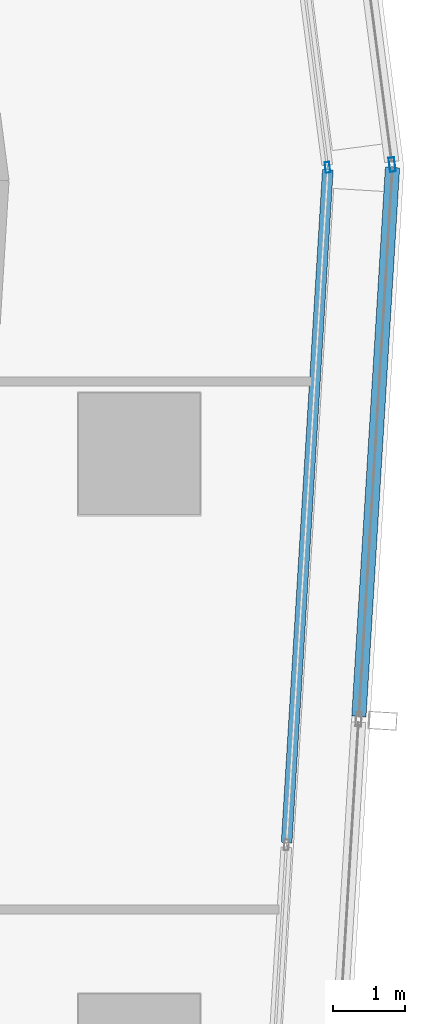
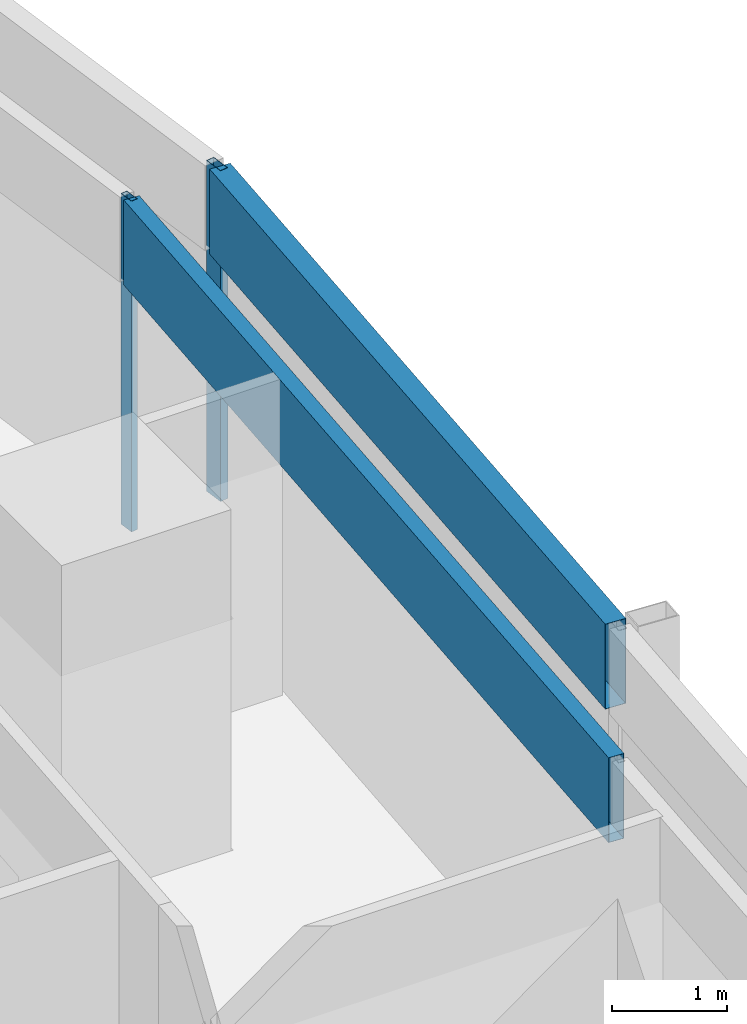
# One storey, part 25 of 40: 4 members, 4 elements without a shape of their own.
"""IFC4 building model written with IfcOpenShell, lengths in metres."""

from ifc_helpers import new_model, si_unit, direction, frame, origin, origin_2d, place, context, subcontext, project, spatial, hollow_rectangle, extrude, material, material_profile, profile_set, type_object, element, aggregate, save


model = new_model("IFC4")

# Units and contexts
model_context = context("Model", 3, precision=1e-05, world=origin(), true_north=direction((0.0, 1.0)))
body_context = subcontext(model_context, "Body", "Model", "MODEL_VIEW")
ifc_project = project(units=[si_unit("LENGTHUNIT", "METRE"), si_unit("AREAUNIT", "SQUARE_METRE"), si_unit("VOLUMEUNIT", "CUBIC_METRE"), si_unit("PLANEANGLEUNIT", "RADIAN"), si_unit("MASSUNIT", "GRAM", prefix="KILO")], contexts=[model_context])

# Site, building, storey
site_placement = place(None, origin())
site = spatial("IfcSite", under=ifc_project, at=site_placement, CompositionType="ELEMENT")
building_placement = place(site_placement, origin())
building = spatial("IfcBuilding", under=site, at=building_placement, Name="Rekha Terrace Tower", CompositionType="ELEMENT")
storey_placement = place(building_placement, frame((0.0, 0.0, 110.300048828125)))
storey = spatial("IfcBuildingStorey", under=building, at=storey_placement, Name="L27", CompositionType="ELEMENT", Elevation=110.300048828125)

# Curtain wall, member
ifc_material_1 = material(Name="Aluminium framing", Category="aluminium")
curtain_wall_type_1 = type_object("IfcCurtainWallType", Name="CW1 double skin inner glazing", PredefinedType="USERDEFINED", material=ifc_material_1)
curtain_wall_1_placement = place(storey_placement, origin())
curtain_wall_1 = element("IfcCurtainWall", 1, at=curtain_wall_1_placement, inside=storey, type_object=curtain_wall_type_1, Name="CW1 double skin inner glazing", ObjectType="DOUBLE SKIN INNER GLAZING", PredefinedType="USERDEFINED")
ifc_material_2 = material(Name="Aluminium mullion section", Category="aluminium")
ifc_material_profile_1 = material_profile(ifc_material_2, hollow_rectangle(XDim=0.06494140625, YDim=0.14990234375, WallThickness=0.00390625, at=origin_2d()), Name="AL RHS 65x150")
ifc_profile_set_1 = profile_set([ifc_material_profile_1], Name="Aluminium mullion section")
member_type_1 = type_object("IfcMemberType", Name="CW1 mullion RHS 65 x 150", PredefinedType="MULLION", material=ifc_profile_set_1)
member_1_placement = place(storey_placement, frame((69.83154296875, 46.00390625, 0.0), z_axis=(0.0, 0.0, 1.0), x_axis=(-0.991629186237, -0.129118383675, 0.0)))
member_1 = element("IfcMember", 2, at=member_1_placement, type_object=member_type_1, Name="CW1 mullion 1", PredefinedType="MULLION", context=body_context, shape_type="SweptSolid", body=[
    extrude(hollow_rectangle(XDim=0.06494140625, YDim=0.14990234375, WallThickness=0.00390625, at=origin_2d()), origin(), (0.0, 0.0, 1.0), 3.5),
])
aggregate(curtain_wall_1, [member_1])

curtain_wall_2_placement = place(storey_placement, origin())
curtain_wall_2 = element("IfcCurtainWall", 3, at=curtain_wall_2_placement, inside=storey, type_object=curtain_wall_type_1, Name="CW1 double skin inner glazing", ObjectType="DOUBLE SKIN INNER GLAZING", PredefinedType="USERDEFINED")
ifc_material_3 = material(Name="Insulated aluminium spandrel box", Category="aluminium")
ifc_material_profile_2 = material_profile(ifc_material_3, hollow_rectangle(XDim=0.14990234375, YDim=0.89990234375, WallThickness=0.0029296875, at=origin_2d()), Name="AL SPANDREL BOX 150x900")
ifc_profile_set_2 = profile_set([ifc_material_profile_2], Name="Insulated aluminium spandrel box")
member_type_2 = type_object("IfcMemberType", Name="CW1 spandrel transom 150 x 900", PredefinedType="USERDEFINED", material=ifc_profile_set_2)
member_2_placement = place(storey_placement, frame((69.259765625, 36.569091796875, 3.050048828125), z_axis=(0.061137463969, 0.998129355594, 0.0), x_axis=(-0.998129355594, 0.061137463969, 0.0)))
member_2 = element("IfcMember", 4, at=member_2_placement, type_object=member_type_2, Name="CW1 spandrel transom 3", ObjectType="TRANSOM", PredefinedType="USERDEFINED", context=body_context, shape_type="SweptSolid", body=[
    extrude(hollow_rectangle(XDim=0.14990234375, YDim=0.89990234375, WallThickness=0.0029296875, at=origin_2d()), origin(), (0.0, 0.0, 1.0), 9.420166015625),
])
aggregate(curtain_wall_2, [member_2])

curtain_wall_type_2 = type_object("IfcCurtainWallType", Name="CW2 double skin outer glazing", PredefinedType="USERDEFINED", material=ifc_material_1)
curtain_wall_3_placement = place(storey_placement, origin())
curtain_wall_3 = element("IfcCurtainWall", 5, at=curtain_wall_3_placement, inside=storey, type_object=curtain_wall_type_2, Name="CW2 double skin outer glazing", ObjectType="DOUBLE SKIN OUTER GLAZING", PredefinedType="USERDEFINED")
ifc_material_profile_3 = material_profile(ifc_material_2, hollow_rectangle(XDim=0.080078125, YDim=0.199951171875, WallThickness=0.00390625, at=origin_2d()), Name="AL RHS 80x200")
ifc_profile_set_3 = profile_set([ifc_material_profile_3], Name="Aluminium mullion section")
member_type_3 = type_object("IfcMemberType", Name="CW2 mullion RHS 80 x 200", PredefinedType="MULLION", material=ifc_profile_set_3)
member_3_placement = place(storey_placement, frame((70.734130859375, 46.042236328125, 0.0), z_axis=(0.0, 0.0, 1.0), x_axis=(-0.991629186244, -0.129118383623, 0.0)))
member_3 = element("IfcMember", 6, at=member_3_placement, type_object=member_type_3, Name="CW2 mullion 1", PredefinedType="MULLION", context=body_context, shape_type="SweptSolid", body=[
    extrude(hollow_rectangle(XDim=0.080078125, YDim=0.199951171875, WallThickness=0.00390625, at=origin_2d()), origin(), (0.0, 0.0, 1.0), 3.5),
])
aggregate(curtain_wall_3, [member_3])

curtain_wall_4_placement = place(storey_placement, origin())
curtain_wall_4 = element("IfcCurtainWall", 7, at=curtain_wall_4_placement, inside=storey, type_object=curtain_wall_type_2, Name="CW2 double skin outer glazing", ObjectType="DOUBLE SKIN OUTER GLAZING", PredefinedType="USERDEFINED")
ifc_material_profile_4 = material_profile(ifc_material_3, hollow_rectangle(XDim=0.199951171875, YDim=0.89990234375, WallThickness=0.0029296875, at=origin_2d()), Name="AL SPANDREL BOX 200x900")
ifc_profile_set_4 = profile_set([ifc_material_profile_4], Name="Insulated aluminium spandrel box")
member_type_4 = type_object("IfcMemberType", Name="CW2 spandrel transom 200 x 900", PredefinedType="USERDEFINED", material=ifc_profile_set_4)
member_4_placement = place(storey_placement, frame((70.269287109375, 38.330322265625, 3.050048828125), z_axis=(0.061142352683, 0.998129056139, 0.0), x_axis=(-0.998129056139, 0.061142352683, 0.0)))
member_4 = element("IfcMember", 8, at=member_4_placement, type_object=member_type_4, Name="CW2 spandrel transom 4", ObjectType="TRANSOM", PredefinedType="USERDEFINED", context=body_context, shape_type="SweptSolid", body=[
    extrude(hollow_rectangle(XDim=0.199951171875, YDim=0.89990234375, WallThickness=0.0029296875, at=origin_2d()), origin(), (0.0, 0.0, 1.0), 7.6865234375),
])
aggregate(curtain_wall_4, [member_4])

save(model, "model.ifc")
